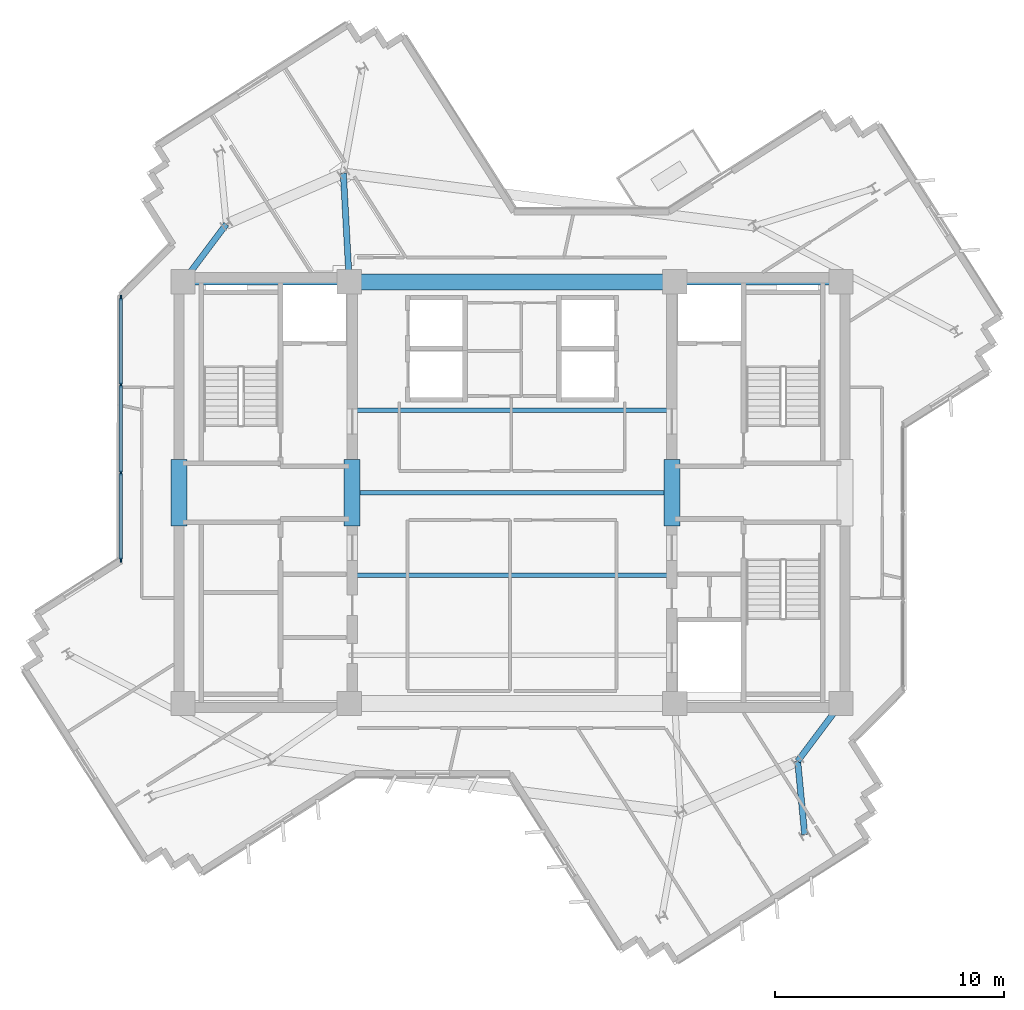
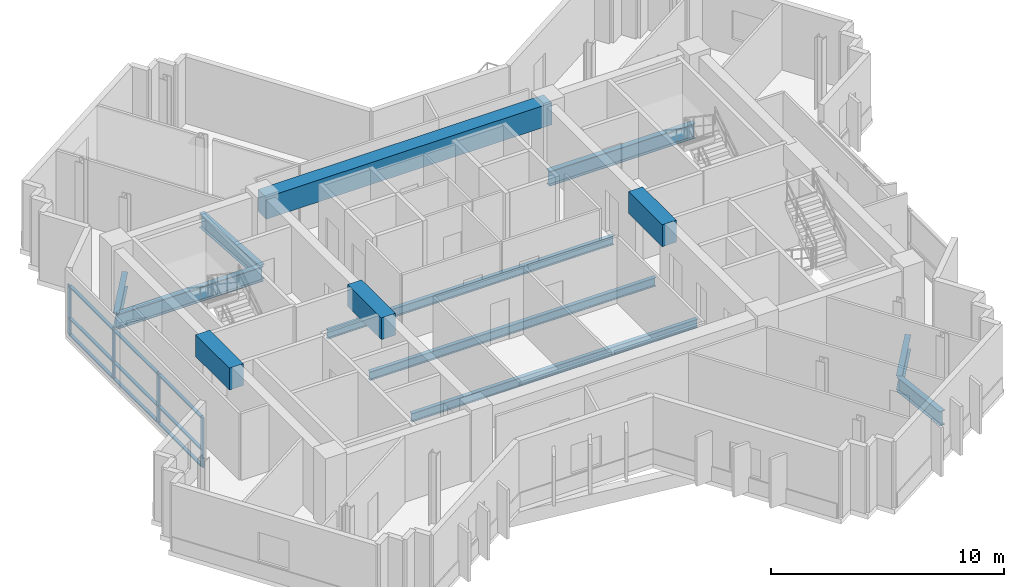
# One storey, part 2 of 12: 13 beams, 13 members, 1 element without a shape of its own.
"""IFC4 building model written with IfcOpenShell, lengths in metres."""

from ifc_helpers import new_model, si_unit, direction, frame, origin, origin_2d, place, context, subcontext, project, spatial, rectangle, i_section, extrude, source, transform, mapped, material, layer, layer_set, material_profile, profile_set, type_object, element, aggregate, save


model = new_model("IFC4")

# Units and contexts
model_context = context("Model", 3, precision=1e-05, world=origin(), true_north=direction((0.0, 1.0)))
body_context = subcontext(model_context, "Body", "Model", "MODEL_VIEW")
ifc_project = project(units=[si_unit("LENGTHUNIT", "METRE"), si_unit("AREAUNIT", "SQUARE_METRE"), si_unit("VOLUMEUNIT", "CUBIC_METRE"), si_unit("PLANEANGLEUNIT", "RADIAN"), si_unit("MASSUNIT", "GRAM", prefix="KILO")], contexts=[model_context])

# Site, building, storey
site_placement = place(None, origin())
site = spatial("IfcSite", under=ifc_project, at=site_placement, CompositionType="ELEMENT")
building_placement = place(site_placement, origin())
building = spatial("IfcBuilding", under=site, at=building_placement, Name="Zahravan Cultural Tower", CompositionType="ELEMENT")
storey_placement = place(building_placement, frame((0.0, 0.0, 269.10009765625)))
storey = spatial("IfcBuildingStorey", under=building, at=storey_placement, Name="L64", CompositionType="ELEMENT", Elevation=269.10009765625)

# Beams
ifc_material_1 = material(Name="Concrete C50/60", Category="concrete")
ifc_material_profile_1 = material_profile(ifc_material_1, rectangle(XDim=0.699951171875, YDim=1.14990234375, at=origin_2d()), Name="RC700X1150")
ifc_profile_set_1 = profile_set([ifc_material_profile_1], Name="Concrete C50/60")
beam_type_1 = type_object("IfcBeamType", Name="BM-LN-RC700X1150", PredefinedType="LINTEL", material=ifc_profile_set_1)
shared_shape_1 = source(origin(), body_context, "Body", "SweptSolid", [
    extrude(rectangle(XDim=0.699951171875, YDim=1.14990234375, at=origin_2d()), origin(), (0.0, 0.0, 1.0), 14.2001953125),
])
beam_1_placement = place(storey_placement, frame((28.89990234375, 36.199951171875, 2.9248046875), z_axis=(1.0, 0.0, 0.0), x_axis=(0.0, 1.0, 0.0)))
element("IfcBeam", 1, at=beam_1_placement, inside=storey, type_object=beam_type_1, Name="L64 Beam LN-L64-N", PredefinedType="LINTEL", context=body_context, shape_type="MappedRepresentation", body=[
    mapped(shared_shape_1, transform((0.0, 0.0, 0.0), x_axis=(1.0, 0.0, 0.0), y_axis=(0.0, 1.0, 0.0), z_axis=(0.0, 0.0, 1.0), scale=1.0)),
])
shared_shape_2 = source(origin(), body_context, "Body", "SweptSolid", [
    extrude(rectangle(XDim=0.699951171875, YDim=1.14990234375, at=origin_2d()), origin(), (0.0, 0.0, 1.0), 2.89990234375),
])
for number, where, z_axis, x_axis, name in (
    (2, (21.47509765625, 25.550048828125, 2.9248046875), (0.0, 1.0, 0.0), (-1.0, 0.0, 0.0), "L64 Beam LN-L64-PWW"),
    (3, (29.02490234375, 25.550048828125, 2.9248046875), (0.0, 1.0, 0.0), (-1.0, 0.0, 0.0), "L64 Beam LN-L64-PWE"),
    (4, (42.97509765625, 25.550048828125, 2.9248046875), (0.0, 1.0, 0.0), (-1.0, 0.0, 0.0), "L64 Beam LN-L64-PEW"),
):
    element("IfcBeam", number, at=place(storey_placement, frame(where, z_axis=z_axis, x_axis=x_axis)), inside=storey, type_object=beam_type_1, Name=name, PredefinedType="LINTEL", context=body_context, shape_type="MappedRepresentation", body=[
        mapped(shared_shape_2, transform((0.0, 0.0, 0.0), x_axis=(1.0, 0.0, 0.0), y_axis=(0.0, 1.0, 0.0), z_axis=(0.0, 0.0, 1.0), scale=1.0)),
    ])
ifc_material_2 = material(Name="Steel ASTM A992 Grade 50", Category="steel")
ifc_material_profile_2 = material_profile(ifc_material_2, i_section(OverallWidth=0.26611328125, OverallDepth=0.780029296875, WebThickness=0.0166015625, FlangeThickness=0.030029296875, FilletRadius=0.01904296875, at=origin_2d()), Name="W30X148")
ifc_profile_set_2 = profile_set([ifc_material_profile_2], Name="Steel ASTM A992 Grade 50")
beam_type_2 = type_object("IfcBeamType", Name="BM-G-W30X148", PredefinedType="BEAM", material=ifc_profile_set_2)
shared_shape_3 = source(origin(), body_context, "Body", "SweptSolid", [
    extrude(i_section(OverallWidth=0.26611328125, OverallDepth=0.780029296875, WebThickness=0.0166015625, FlangeThickness=0.030029296875, FilletRadius=0.01904296875, at=origin_2d()), origin(), (0.0, 0.0, 1.0), 7.25),
])
for number, where, z_axis, x_axis, name in (
    (5, (21.64990234375, 36.199951171875, -0.64013671875), (1.0, 0.0, 0.0), (0.0, 1.0, 0.0), "L64 Beam BG-L64-02"),
    (6, (43.10009765625, 36.199951171875, -0.64013671875), (1.0, 0.0, 0.0), (0.0, 1.0, 0.0), "L64 Beam BG-L64-05"),
):
    element("IfcBeam", number, at=place(storey_placement, frame(where, z_axis=z_axis, x_axis=x_axis)), inside=storey, type_object=beam_type_2, Name=name, PredefinedType="BEAM", context=body_context, shape_type="MappedRepresentation", body=[
        mapped(shared_shape_3, transform((0.0, 0.0, 0.0), x_axis=(1.0, 0.0, 0.0), y_axis=(0.0, 1.0, 0.0), z_axis=(0.0, 0.0, 1.0), scale=1.0)),
    ])
ifc_material_profile_3 = material_profile(ifc_material_2, i_section(OverallWidth=0.26708984375, OverallDepth=0.761962890625, WebThickness=0.014404296875, FlangeThickness=0.021484375, FilletRadius=0.01904296875, at=origin_2d()), Name="W30X116")
ifc_profile_set_3 = profile_set([ifc_material_profile_3], Name="Steel ASTM A992 Grade 50")
beam_type_3 = type_object("IfcBeamType", Name="BM-G-W30X116", PredefinedType="BEAM", material=ifc_profile_set_3)
shared_shape_4 = source(origin(), body_context, "Body", "SweptSolid", [
    extrude(i_section(OverallWidth=0.26708984375, OverallDepth=0.761962890625, WebThickness=0.014404296875, FlangeThickness=0.021484375, FilletRadius=0.01904296875, at=origin_2d()), origin(), (0.0, 0.0, 1.0), 4.744384765625),
])
beam_2_placement = place(storey_placement, frame((28.89990234375, 36.199951171875, -0.631103515625), z_axis=(-0.054238739845, 0.998527996152, 0.0), x_axis=(-0.998527996152, -0.054238739845, 0.0)))
element("IfcBeam", 7, at=beam_2_placement, inside=storey, type_object=beam_type_3, Name="L64 Beam BG-L64-10", PredefinedType="BEAM", context=body_context, shape_type="MappedRepresentation", body=[
    mapped(shared_shape_4, transform((0.0, 0.0, 0.0), x_axis=(1.0, 0.0, 0.0), y_axis=(0.0, 1.0, 0.0), z_axis=(0.0, 0.0, 1.0), scale=1.0)),
])
shared_shape_5 = source(origin(), body_context, "Body", "SweptSolid", [
    extrude(i_section(OverallWidth=0.26708984375, OverallDepth=0.761962890625, WebThickness=0.014404296875, FlangeThickness=0.021484375, FilletRadius=0.01904296875, at=origin_2d()), origin(), (0.0, 0.0, 1.0), 3.140380859375),
])
for number, where, z_axis, x_axis, name in (
    (8, (50.35009765625, 17.800048828125, -0.631103515625), (-0.600696322208, -0.799477284534, 0.0), (0.799477284534, -0.600696322208, 0.0), "L64 Beam BG-L64-09"),
    (9, (21.64990234375, 36.199951171875, -0.631103515625), (0.600696322208, 0.799477284534, 0.0), (-0.799477284534, 0.600696322208, 0.0), "L64 Beam BG-L64-11"),
):
    element("IfcBeam", number, at=place(storey_placement, frame(where, z_axis=z_axis, x_axis=x_axis)), inside=storey, type_object=beam_type_3, Name=name, PredefinedType="BEAM", context=body_context, shape_type="MappedRepresentation", body=[
        mapped(shared_shape_5, transform((0.0, 0.0, 0.0), x_axis=(1.0, 0.0, 0.0), y_axis=(0.0, 1.0, 0.0), z_axis=(0.0, 0.0, 1.0), scale=1.0)),
    ])
shared_shape_6 = source(origin(), body_context, "Body", "SweptSolid", [
    extrude(i_section(OverallWidth=0.26708984375, OverallDepth=0.761962890625, WebThickness=0.014404296875, FlangeThickness=0.021484375, FilletRadius=0.01904296875, at=origin_2d()), origin(), (0.0, 0.0, 1.0), 3.218017578125),
])
beam_3_placement = place(storey_placement, frame((48.463623046875, 15.289306640625, -0.631103515625), z_axis=(0.094454641962, -0.995529166128, 0.0), x_axis=(0.995529166128, 0.094454641962, 0.0)))
element("IfcBeam", 10, at=beam_3_placement, inside=storey, type_object=beam_type_3, Name="L64 Beam BG-L64-19", PredefinedType="BEAM", context=body_context, shape_type="MappedRepresentation", body=[
    mapped(shared_shape_6, transform((0.0, 0.0, 0.0), x_axis=(1.0, 0.0, 0.0), y_axis=(0.0, 1.0, 0.0), z_axis=(0.0, 0.0, 1.0), scale=1.0)),
])
ifc_material_profile_4 = material_profile(ifc_material_2, i_section(OverallWidth=0.18994140625, OverallDepth=0.45703125, WebThickness=0.009033203125, FlangeThickness=0.014404296875, FilletRadius=0.012939453125, at=origin_2d()), Name="W18X50")
ifc_profile_set_4 = profile_set([ifc_material_profile_4], Name="Steel ASTM A992 Grade 50")
beam_type_4 = type_object("IfcBeamType", Name="BM-J-W18X50", PredefinedType="JOIST", material=ifc_profile_set_4)
shared_shape_7 = source(origin(), body_context, "Body", "SweptSolid", [
    extrude(i_section(OverallWidth=0.18994140625, OverallDepth=0.45703125, WebThickness=0.009033203125, FlangeThickness=0.014404296875, FilletRadius=0.012939453125, at=origin_2d()), origin(), (0.0, 0.0, 1.0), 14.2001953125),
])
for number, where, z_axis, x_axis, name in (
    (11, (28.89990234375, 23.39990234375, -0.478515625), (1.0, 0.0, 0.0), (0.0, 1.0, 0.0), "L64 Beam BJ-L64-25"),
    (12, (28.89990234375, 27.0, -0.478515625), (1.0, 0.0, 0.0), (0.0, 1.0, 0.0), "L64 Beam BJ-L64-26"),
    (13, (28.89990234375, 30.60009765625, -0.478515625), (1.0, 0.0, 0.0), (0.0, 1.0, 0.0), "L64 Beam BJ-L64-27"),
):
    element("IfcBeam", number, at=place(storey_placement, frame(where, z_axis=z_axis, x_axis=x_axis)), inside=storey, type_object=beam_type_4, Name=name, PredefinedType="JOIST", context=body_context, shape_type="MappedRepresentation", body=[
        mapped(shared_shape_7, transform((0.0, 0.0, 0.0), x_axis=(1.0, 0.0, 0.0), y_axis=(0.0, 1.0, 0.0), z_axis=(0.0, 0.0, 1.0), scale=1.0)),
    ])

# Curtain wall, members
ifc_material_3 = material(Name="Anodised bronze-aluminium mullion", Category="aluminium")
ifc_layer = layer(ifc_material_3, 0.199951171875)
ifc_layer_set = layer_set([ifc_layer], Name="Anodised bronze-aluminium mullion")
curtain_wall_type = type_object("IfcCurtainWallType", Name="CW-SYS-2", PredefinedType="USERDEFINED", material=ifc_layer_set)
curtain_wall_placement = place(storey_placement, origin())
curtain_wall = element("IfcCurtainWall", 14, at=curtain_wall_placement, inside=storey, type_object=curtain_wall_type, Name="L64 Recessed Curtain Wall CW-2.2", ObjectType="RECESSED GLAZING", PredefinedType="USERDEFINED")
ifc_material_profile_5 = material_profile(ifc_material_3, rectangle(XDim=0.074951171875, YDim=0.199951171875, at=origin_2d()), Name="AL-M75X200")
ifc_profile_set_5 = profile_set([ifc_material_profile_5], Name="Anodised bronze-aluminium mullion")
member_type_1 = type_object("IfcMemberType", Name="CWM-CW-2", PredefinedType="MULLION", material=ifc_profile_set_5)
shared_shape_8 = source(origin(), body_context, "Body", "SweptSolid", [
    extrude(rectangle(XDim=0.074951171875, YDim=0.199951171875, at=origin_2d()), origin(), (0.0, 0.0, 1.0), 2.619873046875),
])
member_1_placement = place(storey_placement, frame((18.93994140625, 24.06591796875, 0.0), z_axis=(0.0, 0.0, 1.0), x_axis=(-1.0, 0.0, 0.0)))
member_1 = element("IfcMember", 15, at=member_1_placement, type_object=member_type_1, Name="CW-2 mullion 1", PredefinedType="MULLION", context=body_context, shape_type="MappedRepresentation", body=[
    mapped(shared_shape_8, transform((0.0, 0.0, 0.0), x_axis=(1.0, 0.0, 0.0), y_axis=(0.0, 1.0, 0.0), z_axis=(0.0, 0.0, 1.0), scale=1.0)),
])
member_2_placement = place(storey_placement, frame((18.93994140625, 27.8662109375, 0.0), z_axis=(0.0, 0.0, 1.0), x_axis=(-1.0, 0.0, 0.0)))
member_2 = element("IfcMember", 16, at=member_2_placement, type_object=member_type_1, Name="CW-2 mullion 2", PredefinedType="MULLION", context=body_context, shape_type="MappedRepresentation", body=[
    mapped(shared_shape_8, transform((0.0, 0.0, 0.0), x_axis=(1.0, 0.0, 0.0), y_axis=(0.0, 1.0, 0.0), z_axis=(0.0, 0.0, 1.0), scale=1.0)),
])
member_3_placement = place(storey_placement, frame((18.93994140625, 31.7041015625, 0.0), z_axis=(0.0, 0.0, 1.0), x_axis=(-1.0, 0.0, 0.0)))
member_3 = element("IfcMember", 17, at=member_3_placement, type_object=member_type_1, Name="CW-2 mullion 3", PredefinedType="MULLION", context=body_context, shape_type="MappedRepresentation", body=[
    mapped(shared_shape_8, transform((0.0, 0.0, 0.0), x_axis=(1.0, 0.0, 0.0), y_axis=(0.0, 1.0, 0.0), z_axis=(0.0, 0.0, 1.0), scale=1.0)),
])
member_4_placement = place(storey_placement, frame((18.93994140625, 35.50439453125, 0.0), z_axis=(0.0, 0.0, 1.0), x_axis=(-1.0, 0.0, 0.0)))
member_4 = element("IfcMember", 18, at=member_4_placement, type_object=member_type_1, Name="CW-2 mullion 4", PredefinedType="MULLION", context=body_context, shape_type="MappedRepresentation", body=[
    mapped(shared_shape_8, transform((0.0, 0.0, 0.0), x_axis=(1.0, 0.0, 0.0), y_axis=(0.0, 1.0, 0.0), z_axis=(0.0, 0.0, 1.0), scale=1.0)),
])
ifc_material_profile_6 = material_profile(ifc_material_3, rectangle(XDim=0.14990234375, YDim=0.074951171875, at=origin_2d()), Name="AL-T75X150")
ifc_profile_set_6 = profile_set([ifc_material_profile_6], Name="Anodised bronze-aluminium mullion")
member_type_2 = type_object("IfcMemberType", Name="CWT-CW-2", PredefinedType="USERDEFINED", material=ifc_profile_set_6)
shared_shape_9 = source(origin(), body_context, "Body", "SweptSolid", [
    extrude(rectangle(XDim=0.14990234375, YDim=0.074951171875, at=origin_2d()), origin(), (0.0, 0.0, 1.0), 3.725341796875),
])
member_5_placement = place(storey_placement, frame((18.93994140625, 24.103271484375, 0.037353515625), z_axis=(0.0, 1.0, 0.0), x_axis=(-1.0, 0.0, 0.0)))
member_5 = element("IfcMember", 19, at=member_5_placement, type_object=member_type_2, Name="CW-2 transom 1.1", ObjectType="TRANSOM", PredefinedType="USERDEFINED", context=body_context, shape_type="MappedRepresentation", body=[
    mapped(shared_shape_9, transform((0.0, 0.0, 0.0), x_axis=(1.0, 0.0, 0.0), y_axis=(0.0, 1.0, 0.0), z_axis=(0.0, 0.0, 1.0), scale=1.0)),
])
member_6_placement = place(storey_placement, frame((18.93994140625, 24.103271484375, 0.89990234375), z_axis=(0.0, 1.0, 0.0), x_axis=(-1.0, 0.0, 0.0)))
member_6 = element("IfcMember", 20, at=member_6_placement, type_object=member_type_2, Name="CW-2 transom 1.2", ObjectType="TRANSOM", PredefinedType="USERDEFINED", context=body_context, shape_type="MappedRepresentation", body=[
    mapped(shared_shape_9, transform((0.0, 0.0, 0.0), x_axis=(1.0, 0.0, 0.0), y_axis=(0.0, 1.0, 0.0), z_axis=(0.0, 0.0, 1.0), scale=1.0)),
])
member_7_placement = place(storey_placement, frame((18.93994140625, 24.103271484375, 2.58251953125), z_axis=(0.0, 1.0, 0.0), x_axis=(-1.0, 0.0, 0.0)))
member_7 = element("IfcMember", 21, at=member_7_placement, type_object=member_type_2, Name="CW-2 transom 1.3", ObjectType="TRANSOM", PredefinedType="USERDEFINED", context=body_context, shape_type="MappedRepresentation", body=[
    mapped(shared_shape_9, transform((0.0, 0.0, 0.0), x_axis=(1.0, 0.0, 0.0), y_axis=(0.0, 1.0, 0.0), z_axis=(0.0, 0.0, 1.0), scale=1.0)),
])
member_8_placement = place(storey_placement, frame((18.93994140625, 31.74169921875, 0.037353515625), z_axis=(0.0, 1.0, 0.0), x_axis=(-1.0, 0.0, 0.0)))
member_8 = element("IfcMember", 22, at=member_8_placement, type_object=member_type_2, Name="CW-2 transom 3.1", ObjectType="TRANSOM", PredefinedType="USERDEFINED", context=body_context, shape_type="MappedRepresentation", body=[
    mapped(shared_shape_9, transform((0.0, 0.0, 0.0), x_axis=(1.0, 0.0, 0.0), y_axis=(0.0, 1.0, 0.0), z_axis=(0.0, 0.0, 1.0), scale=1.0)),
])
member_9_placement = place(storey_placement, frame((18.93994140625, 31.74169921875, 0.89990234375), z_axis=(0.0, 1.0, 0.0), x_axis=(-1.0, 0.0, 0.0)))
member_9 = element("IfcMember", 23, at=member_9_placement, type_object=member_type_2, Name="CW-2 transom 3.2", ObjectType="TRANSOM", PredefinedType="USERDEFINED", context=body_context, shape_type="MappedRepresentation", body=[
    mapped(shared_shape_9, transform((0.0, 0.0, 0.0), x_axis=(1.0, 0.0, 0.0), y_axis=(0.0, 1.0, 0.0), z_axis=(0.0, 0.0, 1.0), scale=1.0)),
])
member_10_placement = place(storey_placement, frame((18.93994140625, 31.74169921875, 2.58251953125), z_axis=(0.0, 1.0, 0.0), x_axis=(-1.0, 0.0, 0.0)))
member_10 = element("IfcMember", 24, at=member_10_placement, type_object=member_type_2, Name="CW-2 transom 3.3", ObjectType="TRANSOM", PredefinedType="USERDEFINED", context=body_context, shape_type="MappedRepresentation", body=[
    mapped(shared_shape_9, transform((0.0, 0.0, 0.0), x_axis=(1.0, 0.0, 0.0), y_axis=(0.0, 1.0, 0.0), z_axis=(0.0, 0.0, 1.0), scale=1.0)),
])
shared_shape_10 = source(origin(), body_context, "Body", "SweptSolid", [
    extrude(rectangle(XDim=0.14990234375, YDim=0.074951171875, at=origin_2d()), origin(), (0.0, 0.0, 1.0), 3.7626953125),
])
member_11_placement = place(storey_placement, frame((18.93994140625, 27.90380859375, 0.037353515625), z_axis=(0.0, 1.0, 0.0), x_axis=(-1.0, 0.0, 0.0)))
member_11 = element("IfcMember", 25, at=member_11_placement, type_object=member_type_2, Name="CW-2 transom 2.1", ObjectType="TRANSOM", PredefinedType="USERDEFINED", context=body_context, shape_type="MappedRepresentation", body=[
    mapped(shared_shape_10, transform((0.0, 0.0, 0.0), x_axis=(1.0, 0.0, 0.0), y_axis=(0.0, 1.0, 0.0), z_axis=(0.0, 0.0, 1.0), scale=1.0)),
])
member_12_placement = place(storey_placement, frame((18.93994140625, 27.90380859375, 0.89990234375), z_axis=(0.0, 1.0, 0.0), x_axis=(-1.0, 0.0, 0.0)))
member_12 = element("IfcMember", 26, at=member_12_placement, type_object=member_type_2, Name="CW-2 transom 2.2", ObjectType="TRANSOM", PredefinedType="USERDEFINED", context=body_context, shape_type="MappedRepresentation", body=[
    mapped(shared_shape_10, transform((0.0, 0.0, 0.0), x_axis=(1.0, 0.0, 0.0), y_axis=(0.0, 1.0, 0.0), z_axis=(0.0, 0.0, 1.0), scale=1.0)),
])
member_13_placement = place(storey_placement, frame((18.93994140625, 27.90380859375, 2.58251953125), z_axis=(0.0, 1.0, 0.0), x_axis=(-1.0, 0.0, 0.0)))
member_13 = element("IfcMember", 27, at=member_13_placement, type_object=member_type_2, Name="CW-2 transom 2.3", ObjectType="TRANSOM", PredefinedType="USERDEFINED", context=body_context, shape_type="MappedRepresentation", body=[
    mapped(shared_shape_10, transform((0.0, 0.0, 0.0), x_axis=(1.0, 0.0, 0.0), y_axis=(0.0, 1.0, 0.0), z_axis=(0.0, 0.0, 1.0), scale=1.0)),
])
aggregate(curtain_wall, [member_1, member_2, member_3, member_4, member_5, member_6, member_7, member_11, member_12, member_13, member_8, member_9, member_10])

save(model, "model.ifc")
